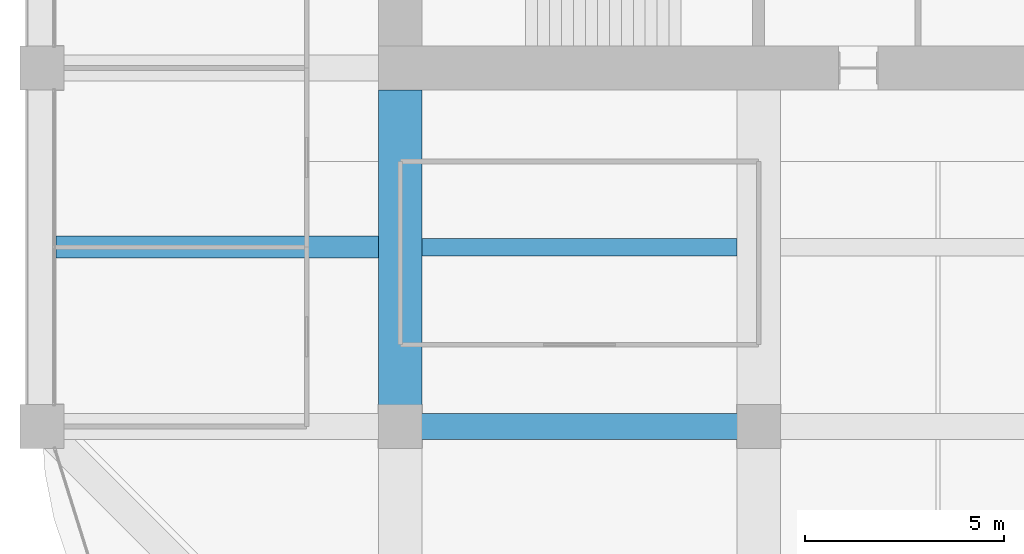
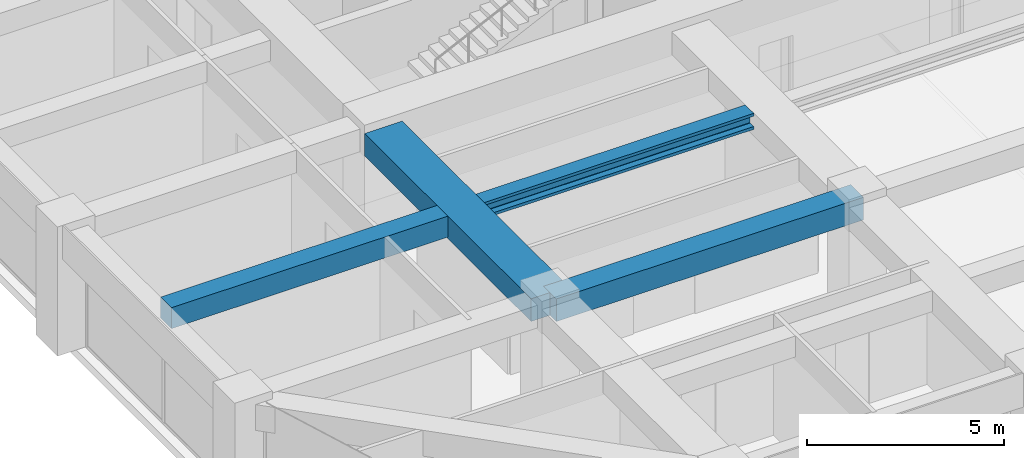
# One storey, part 8 of 44: 4 beams.
"""IFC4 building model written with IfcOpenShell, lengths in metres."""

from ifc_helpers import new_model, si_unit, direction, frame, origin, origin_2d, place, context, subcontext, project, spatial, rectangle, i_section, extrude, material, material_profile, profile_set, type_object, element, save


model = new_model("IFC4")

# Units and contexts
model_context = context("Model", 3, precision=1e-05, world=origin(), true_north=direction((0.0, 1.0)))
body_context = subcontext(model_context, "Body", "Model", "MODEL_VIEW")
ifc_project = project(units=[si_unit("LENGTHUNIT", "METRE"), si_unit("AREAUNIT", "SQUARE_METRE"), si_unit("VOLUMEUNIT", "CUBIC_METRE"), si_unit("PLANEANGLEUNIT", "RADIAN"), si_unit("MASSUNIT", "GRAM", prefix="KILO")], contexts=[model_context])

# Site, building, storey
site_placement = place(None, origin())
site = spatial("IfcSite", under=ifc_project, at=site_placement, CompositionType="ELEMENT")
building_placement = place(site_placement, origin())
building = spatial("IfcBuilding", under=site, at=building_placement, Name="Zorevar Civic Tower", CompositionType="ELEMENT")
storey_placement = place(building_placement, frame((0.0, 0.0, 259.39990234375)))
storey = spatial("IfcBuildingStorey", under=building, at=storey_placement, Name="L63", CompositionType="ELEMENT", Elevation=259.39990234375)

# Beams
ifc_material_1 = material(Name="Concrete C50/60", Category="concrete")
ifc_material_profile_1 = material_profile(ifc_material_1, rectangle(XDim=1.10009765625, YDim=0.699951171875, at=origin_2d()), Name="RC 1100x700")
ifc_profile_set_1 = profile_set([ifc_material_profile_1], Name="Concrete C50/60")
beam_type_1 = type_object("IfcBeamType", Name="Beam RC 1100x700", PredefinedType="BEAM", material=ifc_profile_set_1)
beam_1_placement = place(storey_placement, frame((18.0, 9.0, 3.400146484375), z_axis=(0.0, 1.0, 0.0), x_axis=(-1.0, 0.0, 0.0)))
element("IfcBeam", 1, at=beam_1_placement, inside=storey, type_object=beam_type_1, Name="Girder L64", PredefinedType="BEAM", context=body_context, shape_type="SweptSolid", body=[
    extrude(rectangle(XDim=1.10009765625, YDim=0.699951171875, at=origin_2d()), origin(), (0.0, 0.0, 1.0), 8.449951171875),
])
ifc_material_2 = material(Name="Concrete C50/60", Category="concrete")
ifc_material_profile_2 = material_profile(ifc_material_2, rectangle(XDim=0.550048828125, YDim=0.64990234375, at=origin_2d()), Name="RC 550x650")
ifc_profile_set_2 = profile_set([ifc_material_profile_2], Name="Concrete C50/60")
beam_type_2 = type_object("IfcBeamType", Name="Beam RC 550x650", PredefinedType="BEAM", material=ifc_profile_set_2)
beam_2_placement = place(storey_placement, frame((9.35009765625, 13.5, 3.425048828125), z_axis=(1.0, 0.0, 0.0), x_axis=(0.0, 1.0, 0.0)))
element("IfcBeam", 2, at=beam_2_placement, inside=storey, type_object=beam_type_2, Name="Secondary beam L64", PredefinedType="BEAM", context=body_context, shape_type="SweptSolid", body=[
    extrude(rectangle(XDim=0.550048828125, YDim=0.64990234375, at=origin_2d()), origin(), (0.0, 0.0, 1.0), 8.099853515625),
])
ifc_material_3 = material(Name="Concrete C50/60", Category="concrete")
ifc_material_profile_3 = material_profile(ifc_material_3, rectangle(XDim=0.64990234375, YDim=0.699951171875, at=origin_2d()), Name="RC 650x700")
ifc_profile_set_3 = profile_set([ifc_material_profile_3], Name="Concrete C50/60")
beam_type_3 = type_object("IfcBeamType", Name="Beam RC 650x700", PredefinedType="BEAM", material=ifc_profile_set_3)
beam_3_placement = place(storey_placement, frame((18.0, 9.0, 3.400146484375), z_axis=(1.0, 0.0, 0.0), x_axis=(0.0, 1.0, 0.0)))
element("IfcBeam", 3, at=beam_3_placement, inside=storey, type_object=beam_type_3, Name="Girder L64", PredefinedType="BEAM", context=body_context, shape_type="SweptSolid", body=[
    extrude(rectangle(XDim=0.64990234375, YDim=0.699951171875, at=origin_2d()), origin(), (0.0, 0.0, 1.0), 9.0),
])
ifc_material_4 = material(Name="Steel S460M (HISTAR 460)", Category="steel")
ifc_material_profile_4 = material_profile(ifc_material_4, i_section(OverallWidth=0.431884765625, OverallDepth=0.498046875, WebThickness=0.0556640625, FlangeThickness=0.0888671875, FilletRadius=0.014892578125, at=origin_2d()), Name="HD 400x744")
ifc_profile_set_4 = profile_set([ifc_material_profile_4], Name="Steel S460M (HISTAR 460)")
beam_type_4 = type_object("IfcBeamType", Name="Core bay beam HD 400x744", PredefinedType="BEAM", material=ifc_profile_set_4)
beam_4_placement = place(storey_placement, frame((18.550048828125, 13.5, 3.5009765625), z_axis=(1.0, 0.0, 0.0), x_axis=(0.0, 1.0, 0.0)))
element("IfcBeam", 4, at=beam_4_placement, inside=storey, type_object=beam_type_4, Name="Secondary beam L64", PredefinedType="BEAM", context=body_context, shape_type="SweptSolid", body=[
    extrude(i_section(OverallWidth=0.431884765625, OverallDepth=0.498046875, WebThickness=0.0556640625, FlangeThickness=0.0888671875, FilletRadius=0.014892578125, at=origin_2d()), origin(), (0.0, 0.0, 1.0), 7.89990234375),
])

save(model, "model.ifc")
